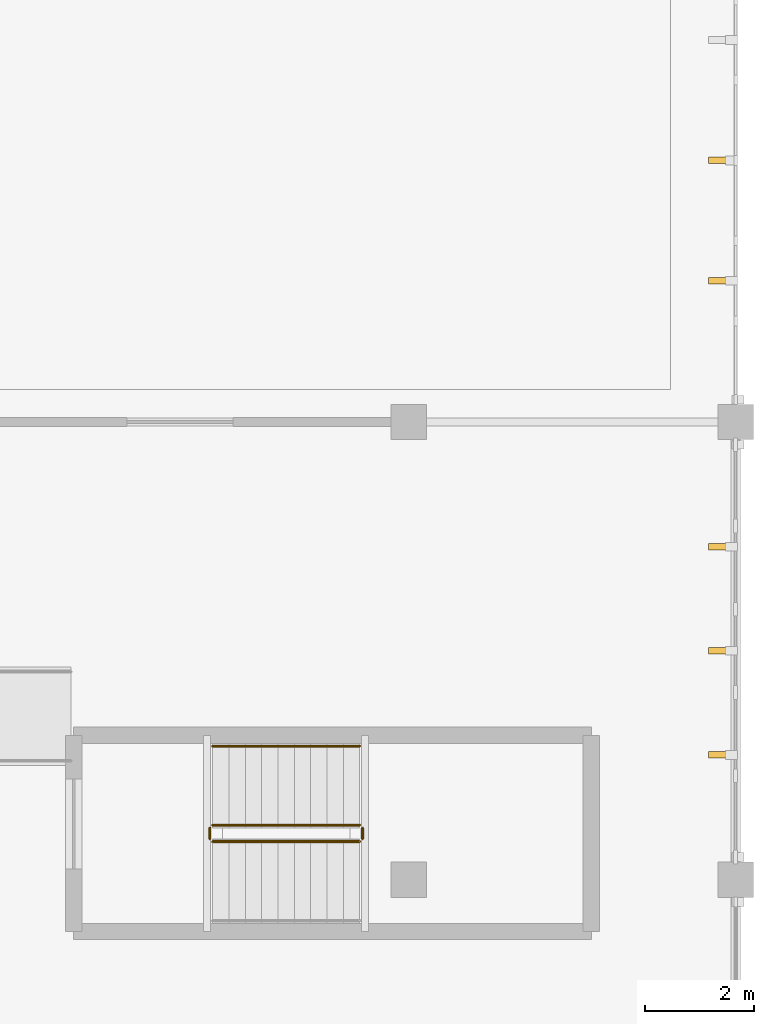
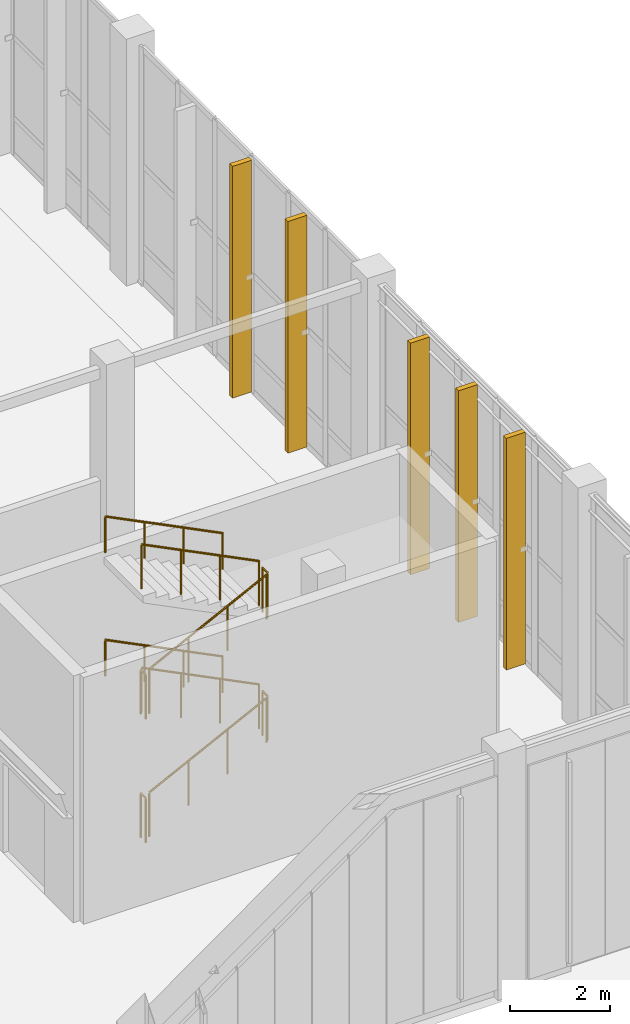
# One storey, part 108 of 110: 10 railings, 5 coverings.
"""IFC4 building model written with IfcOpenShell, lengths in metres."""

import ifcopenshell
import ifcopenshell.guid

model = None  # the IFC model being written
_history = None  # IfcOwnerHistory: only IFC2X3 demands one
_inside = {}  # id of a spatial element -> (the spatial element, [elements in it])
_under = {}  # id of a project, library or spatial element -> (it, [spatial elements below it])
_declared = {}  # id of a project -> (the project, [libraries it declares])
_typed = {}  # id of a type object -> (the type object, [elements of that type])
_made_of = {}  # id of a material, layer set ... -> (it, [elements and type objects made of it])


def new_model(schema):
    """Start an empty IFC model of exactly this schema.

    Asked for "IFC4X3", IfcOpenShell would pick the latest addendum, in which some entities
    have other attributes; the version numbers below select the first issue.
    IFC2X3 requires an IfcOwnerHistory on every rooted entity: one is made here for all.
    """
    global model, _history
    if schema == "IFC4X3":
        model = ifcopenshell.file(schema_version=(4, 3, 0, 0))
    else:
        model = ifcopenshell.file(schema=schema)
    _inside.clear()
    _under.clear()
    _declared.clear()
    _typed.clear()
    _made_of.clear()
    _history = None
    if model.schema == "IFC2X3":
        org = make("IfcOrganization", Name="unknown")
        user = make(
            "IfcPersonAndOrganization",
            ThePerson=make("IfcPerson", FamilyName="unknown"),
            TheOrganization=org,
        )
        app = make(
            "IfcApplication",
            ApplicationDeveloper=org,
            Version="unknown",
            ApplicationFullName="unknown",
            ApplicationIdentifier="unknown",
        )
        _history = make(
            "IfcOwnerHistory",
            OwningUser=user,
            OwningApplication=app,
            ChangeAction="ADDED",
            CreationDate=0,
        )
    return model


def make(cls, **values):
    """One entity of the class cls with the attributes given. An attribute that is None is left unset."""
    return model.create_entity(
        cls, **{name: value for name, value in values.items() if value is not None}
    )


def rooted(cls, **values):
    """An entity with a GlobalId (a new one), such as an element, a storey or a relation."""
    return make(cls, GlobalId=ifcopenshell.guid.new(), OwnerHistory=_history, **values)


def si_unit(unit_type, name, prefix=None):
    """IfcSIUnit, for example si_unit("LENGTHUNIT", "METRE", prefix="MILLI")."""
    return make("IfcSIUnit", UnitType=unit_type, Prefix=prefix, Name=name)


def assignment(units):
    """IfcUnitAssignment: the units of a project."""
    return None if units is None else make("IfcUnitAssignment", Units=units)


def point(xyz):
    """IfcCartesianPoint."""
    return None if xyz is None else make("IfcCartesianPoint", Coordinates=xyz)


def direction(xyz):
    """IfcDirection."""
    return None if xyz is None else make("IfcDirection", DirectionRatios=xyz)


def frame(location, z_axis=None, x_axis=None):
    """IfcAxis2Placement3D, a coordinate frame: its origin and axes. An axis left out is left unset."""
    return make(
        "IfcAxis2Placement3D",
        Location=point(location),
        Axis=direction(z_axis),
        RefDirection=direction(x_axis),
    )


def frame_2d(location, x_axis=None):
    """IfcAxis2Placement2D, a coordinate frame in the plane: its origin and x axis."""
    return make(
        "IfcAxis2Placement2D", Location=point(location), RefDirection=direction(x_axis)
    )


def origin():
    """The frame at (0, 0, 0) with its axes left unset."""
    return frame((0.0, 0.0, 0.0))


def origin_2d():
    """The frame at (0, 0) in the plane with its x axis left unset."""
    return frame_2d((0.0, 0.0))


def place(relative_to, where):
    """IfcLocalPlacement: puts the frame where relative to a parent placement (None: the world)."""
    return make(
        "IfcLocalPlacement", PlacementRelTo=relative_to, RelativePlacement=where
    )


def context(
    kind, dimensions, precision=None, world=None, true_north=None, identifier=None
):
    """IfcGeometricRepresentationContext, for example the 3D "Model" context."""
    return make(
        "IfcGeometricRepresentationContext",
        ContextIdentifier=identifier,
        ContextType=kind,
        CoordinateSpaceDimension=dimensions,
        Precision=precision,
        WorldCoordinateSystem=world,
        TrueNorth=true_north,
    )


def subcontext(parent, identifier, kind, view, scale=None):
    """IfcGeometricRepresentationSubContext, for example "Body" below "Model"."""
    return make(
        "IfcGeometricRepresentationSubContext",
        ContextIdentifier=identifier,
        ContextType=kind,
        ParentContext=parent,
        TargetScale=scale,
        TargetView=view,
    )


def project(units=None, contexts=None):
    """IfcProject with its units and contexts."""
    return rooted(
        "IfcProject",
        Name="project",
        RepresentationContexts=contexts,
        UnitsInContext=assignment(units),
    )


def spatial(cls, under=None, at=None, **own):
    """A site, building, storey or space (cls), placed at a placement, below another one or the project."""
    s = rooted(cls, ObjectPlacement=at, **own)
    if under is not None:
        _under.setdefault(under.id(), (under, []))[1].append(s)
    return s


def profile(cls, at=None, kind="AREA", **sizes):
    """A parametric profile (cls). Its sizes go by their IFC names, for example OverallWidth=200.0."""
    return make(cls, ProfileType=kind, Position=at, **sizes)


def rectangle(**sizes):
    """IfcRectangleProfileDef."""
    return profile("IfcRectangleProfileDef", **sizes)


def circle(**sizes):
    """IfcCircleProfileDef."""
    return profile("IfcCircleProfileDef", **sizes)


def extrude(swept, where, along, depth):
    """IfcExtrudedAreaSolid: the profile swept, set in the frame where, extruded along a direction by depth."""
    return make(
        "IfcExtrudedAreaSolid",
        SweptArea=swept,
        Position=where,
        ExtrudedDirection=direction(along),
        Depth=depth,
    )


def shape(context_of_items, identifier, shape_type, items):
    """IfcShapeRepresentation: the items that make up one representation, for example the "Body"."""
    return make(
        "IfcShapeRepresentation",
        ContextOfItems=context_of_items,
        RepresentationIdentifier=identifier,
        RepresentationType=shape_type,
        Items=items,
    )


def material(Name=None, Category=None):
    """IfcMaterial."""
    return make("IfcMaterial", Name=Name, Category=Category)


def layer(
    of_material, thickness, ventilated=None, Name=None, Category=None, Priority=None
):
    """IfcMaterialLayer: one layer of a wall or slab, of a material (None: an air gap)."""
    return make(
        "IfcMaterialLayer",
        Material=of_material,
        LayerThickness=thickness,
        IsVentilated=ventilated,
        Name=Name,
        Category=Category,
        Priority=Priority,
    )


def layer_set(layers, Name=None):
    """IfcMaterialLayerSet."""
    return make("IfcMaterialLayerSet", MaterialLayers=layers, LayerSetName=Name)


def made_of(thing, what):
    """Note that an element or type object is made of a material, layer set ...; save() writes the relation."""
    if what is not None:
        _made_of.setdefault(what.id(), (what, []))[1].append(thing)
    return thing


def type_object(cls, material=None, **own):
    """A type object (cls), such as IfcWallType, which elements share."""
    return made_of(rooted(cls, **own), material)


def element(
    cls,
    number,
    at=None,
    inside=None,
    cuts=None,
    type_object=None,
    material=None,
    context=None,
    identifier="Body",
    shape_type=None,
    held_by="IfcProductDefinitionShape",
    body=None,
    shapes=None,
    **own,
):
    """One element of the class cls, such as IfcWall. Its Tag is "e" and its number.

    at: its placement. inside: the storey or other place that contains it. cuts: it is an
    opening in that element (IfcRelVoidsElement). A single representation is given by context,
    identifier, shape_type and body (its items); several are given by shapes. held_by: the class
    of the entity that holds the representations. save() writes the other relations.
    """
    e = rooted(cls, Tag="e%d" % number, ObjectPlacement=at, **own)
    if body is not None:
        shapes = [shape(context, identifier, shape_type, body)]
    if shapes is not None:
        e.Representation = make(held_by, Representations=shapes)
    if inside is not None:
        _inside.setdefault(inside.id(), (inside, []))[1].append(e)
    if cuts is not None:
        rooted(
            "IfcRelVoidsElement", RelatingBuildingElement=cuts, RelatedOpeningElement=e
        )
    if type_object is not None:
        _typed.setdefault(type_object.id(), (type_object, []))[1].append(e)
    return made_of(e, material)


def aggregate(whole, parts):
    """IfcRelAggregates: a whole, such as a stair, and the parts it consists of."""
    return rooted("IfcRelAggregates", RelatingObject=whole, RelatedObjects=parts)


def save(model, path):
    """Write the relations noted so far, then the file.

    IfcRelAggregates (storeys below a building ...), IfcRelContainedInSpatialStructure (elements
    in a storey), IfcRelDefinesByType, IfcRelAssociatesMaterial and IfcRelDeclares: one each for
    every whole, place, type object, material and project.
    """
    for whole, parts in _under.values():
        aggregate(whole, parts)
    for where, things in _inside.values():
        rooted(
            "IfcRelContainedInSpatialStructure",
            RelatedElements=things,
            RelatingStructure=where,
        )
    for kind, things in _typed.values():
        rooted("IfcRelDefinesByType", RelatedObjects=things, RelatingType=kind)
    for what, things in _made_of.values():
        rooted("IfcRelAssociatesMaterial", RelatedObjects=things, RelatingMaterial=what)
    for by, libraries in _declared.values():
        rooted("IfcRelDeclares", RelatingContext=by, RelatedDefinitions=libraries)
    model.write(path)


model = new_model("IFC4")

# Units and contexts
model_context = context("Model", 3, precision=1e-05, world=origin(), true_north=direction((0.0, 1.0)))
body_context = subcontext(model_context, "Body", "Model", "MODEL_VIEW")
ifc_project = project(units=[si_unit("LENGTHUNIT", "METRE"), si_unit("AREAUNIT", "SQUARE_METRE"), si_unit("VOLUMEUNIT", "CUBIC_METRE"), si_unit("PLANEANGLEUNIT", "RADIAN"), si_unit("MASSUNIT", "GRAM", prefix="KILO")], contexts=[model_context])

# Site, building, storey
site_placement = place(None, origin())
site = spatial("IfcSite", under=ifc_project, at=site_placement, CompositionType="ELEMENT")
building_placement = place(site_placement, origin())
building = spatial("IfcBuilding", under=site, at=building_placement, Name="Tizgana Railside Sports Hall", CompositionType="ELEMENT")
storey_placement = place(building_placement, origin())
storey = spatial("IfcBuildingStorey", under=building, at=storey_placement, Name="L00", CompositionType="ELEMENT", Elevation=0.0)

# Coverings
ifc_material_1 = material(Name="Glulam GL28h", Category="wood")
ifc_layer = layer(ifc_material_1, 0.139892578125, Name="Glulam GL28h")
ifc_layer_set = layer_set([ifc_layer], Name="Glulam GL28h")
covering_type = type_object("IfcCoveringType", Name="Mass-Timber Brise-Soleil & Pergola Fin", PredefinedType="CLADDING", material=ifc_layer_set)
for number, where, z_axis, x_axis, name in (
    (1, (171.919921875, 82.68994140625, 0.0849609375), (0.0, 0.0, 1.0), (0.0, 1.0, 0.0), "L00 Timber Brise-Soleil Fin"),
    (2, (171.919921875, 84.60009765625, 0.0849609375), (0.0, 0.0, 1.0), (0.0, 1.0, 0.0), "L00 Timber Brise-Soleil Fin"),
    (3, (171.919921875, 86.510009765625, 0.0849609375), (0.0, 0.0, 1.0), (0.0, 1.0, 0.0), "L00 Timber Brise-Soleil Fin"),
    (4, (171.919921875, 91.389892578125, 0.0849609375), (0.0, 0.0, 1.0), (0.0, 1.0, 0.0), "L00 Timber Brise-Soleil Fin"),
    (5, (171.919921875, 93.60009765625, 0.0849609375), (0.0, 0.0, 1.0), (0.0, 1.0, 0.0), "L00 Timber Brise-Soleil Fin"),
):
    element("IfcCovering", number, at=place(storey_placement, frame(where, z_axis=z_axis, x_axis=x_axis)), inside=storey, type_object=covering_type, Name=name, PredefinedType="CLADDING", context=body_context, shape_type="SweptSolid", body=[
        extrude(rectangle(XDim=0.1201171875, YDim=0.43994140625, at=origin_2d()), origin(), (0.0, 0.0, 1.0), 5.635009765625),
    ])

# Railings
ifc_material_2 = material(Name="Galvanised steel sheet", Category="steel")
railing_type_1 = type_object("IfcRailingType", Name="Safety Balustrade Guard 1100", PredefinedType="BALUSTRADE", material=ifc_material_2)
railing_1_placement = place(storey_placement, frame((162.60009765625, 81.10009765625, 0.14990234375)))
element("IfcRailing", 6, at=railing_1_placement, inside=storey, type_object=railing_type_1, Name="L00 ST-09 stair guard 1", PredefinedType="BALUSTRADE", context=body_context, shape_type="SweptSolid", body=[
    extrude(circle(Radius=0.02392578125, at=origin_2d()), frame((0.0, 0.0, 1.076171875), z_axis=(0.894411015155, 0.0, 0.447245945728), x_axis=(0.0, 1.0, 0.0)), (0.0, 0.0, 1.0), 3.018798828125),
    extrude(circle(Radius=0.02099609375, at=origin_2d()), origin(), (0.0, 0.0, 1.0), 1.052001953125),
    extrude(circle(Radius=0.02099609375, at=origin_2d()), frame((0.89990234375, 0.0, 0.449951171875)), (0.0, 0.0, 1.0), 1.052001953125),
    extrude(circle(Radius=0.02099609375, at=origin_2d()), frame((1.800048828125, 0.0, 0.900146484375)), (0.0, 0.0, 1.0), 1.052001953125),
    extrude(circle(Radius=0.02099609375, at=origin_2d()), frame((2.699951171875, 0.0, 1.35009765625)), (0.0, 0.0, 1.0), 1.052001953125),
])
railing_2_placement = place(storey_placement, frame((165.35009765625, 81.14990234375, 1.5)))
element("IfcRailing", 7, at=railing_2_placement, inside=storey, type_object=railing_type_1, Name="L00 ST-09 stair guard 2", PredefinedType="BALUSTRADE", context=body_context, shape_type="SweptSolid", body=[
    extrude(circle(Radius=0.02392578125, at=origin_2d()), frame((0.0, 0.0, 1.076171875), z_axis=(0.0, 1.0, 0.0), x_axis=(-1.0, 0.0, 0.0)), (0.0, 0.0, 1.0), 0.2001953125),
    extrude(circle(Radius=0.02099609375, at=origin_2d()), origin(), (0.0, 0.0, 1.0), 1.052001953125),
    extrude(circle(Radius=0.02099609375, at=origin_2d()), frame((0.0, 0.2001953125, 0.0)), (0.0, 0.0, 1.0), 1.052001953125),
])
railing_3_placement = place(storey_placement, frame((165.300048828125, 81.39990234375, 1.64990234375)))
element("IfcRailing", 8, at=railing_3_placement, inside=storey, type_object=railing_type_1, Name="L00 ST-09 stair guard 3", PredefinedType="BALUSTRADE", context=body_context, shape_type="SweptSolid", body=[
    extrude(circle(Radius=0.02392578125, at=origin_2d()), frame((0.0, 0.0, 1.076171875), z_axis=(-0.894411015155, 0.0, 0.447245945728), x_axis=(0.0, -1.0, 0.0)), (0.0, 0.0, 1.0), 3.018798828125),
    extrude(circle(Radius=0.02099609375, at=origin_2d()), origin(), (0.0, 0.0, 1.0), 1.052001953125),
    extrude(circle(Radius=0.02099609375, at=origin_2d()), frame((-0.89990234375, 0.0, 0.449951171875)), (0.0, 0.0, 1.0), 1.052001953125),
    extrude(circle(Radius=0.02099609375, at=origin_2d()), frame((-1.800048828125, 0.0, 0.900146484375)), (0.0, 0.0, 1.0), 1.052001953125),
    extrude(circle(Radius=0.02099609375, at=origin_2d()), frame((-2.699951171875, 0.0, 1.35009765625)), (0.0, 0.0, 1.0), 1.052001953125),
])
railing_4_placement = place(storey_placement, frame((162.550048828125, 81.14990234375, 3.0)))
element("IfcRailing", 9, at=railing_4_placement, inside=storey, type_object=railing_type_1, Name="L00 ST-09 stair guard 4", PredefinedType="BALUSTRADE", context=body_context, shape_type="SweptSolid", body=[
    extrude(circle(Radius=0.02392578125, at=origin_2d()), frame((0.0, 0.0, 1.076171875), z_axis=(0.0, 1.0, 0.0), x_axis=(-1.0, 0.0, 0.0)), (0.0, 0.0, 1.0), 0.2001953125),
    extrude(circle(Radius=0.02099609375, at=origin_2d()), origin(), (0.0, 0.0, 1.0), 1.052001953125),
    extrude(circle(Radius=0.02099609375, at=origin_2d()), frame((0.0, 0.2001953125, 0.0)), (0.0, 0.0, 1.0), 1.052001953125),
])
railing_5_placement = place(storey_placement, frame((162.60009765625, 81.10009765625, 3.14990234375)))
element("IfcRailing", 10, at=railing_5_placement, inside=storey, type_object=railing_type_1, Name="L00 ST-09 stair guard 5", PredefinedType="BALUSTRADE", context=body_context, shape_type="SweptSolid", body=[
    extrude(circle(Radius=0.02392578125, at=origin_2d()), frame((0.0, 0.0, 1.076171875), z_axis=(0.894411015155, 0.0, 0.447245945728), x_axis=(0.0, 1.0, 0.0)), (0.0, 0.0, 1.0), 3.018798828125),
    extrude(circle(Radius=0.02099609375, at=origin_2d()), origin(), (0.0, 0.0, 1.0), 1.052001953125),
    extrude(circle(Radius=0.02099609375, at=origin_2d()), frame((0.89990234375, 0.0, 0.449951171875)), (0.0, 0.0, 1.0), 1.052001953125),
    extrude(circle(Radius=0.02099609375, at=origin_2d()), frame((1.800048828125, 0.0, 0.900146484375)), (0.0, 0.0, 1.0), 1.052001953125),
    extrude(circle(Radius=0.02099609375, at=origin_2d()), frame((2.699951171875, 0.0, 1.35009765625)), (0.0, 0.0, 1.0), 1.052001953125),
])
railing_6_placement = place(storey_placement, frame((165.35009765625, 81.14990234375, 4.5)))
element("IfcRailing", 11, at=railing_6_placement, inside=storey, type_object=railing_type_1, Name="L00 ST-09 stair guard 6", PredefinedType="BALUSTRADE", context=body_context, shape_type="SweptSolid", body=[
    extrude(circle(Radius=0.02392578125, at=origin_2d()), frame((0.0, 0.0, 1.076171875), z_axis=(0.0, 1.0, 0.0), x_axis=(-1.0, 0.0, 0.0)), (0.0, 0.0, 1.0), 0.2001953125),
    extrude(circle(Radius=0.02099609375, at=origin_2d()), origin(), (0.0, 0.0, 1.0), 1.052001953125),
    extrude(circle(Radius=0.02099609375, at=origin_2d()), frame((0.0, 0.2001953125, 0.0)), (0.0, 0.0, 1.0), 1.052001953125),
])
railing_7_placement = place(storey_placement, frame((165.300048828125, 81.39990234375, 4.64990234375)))
element("IfcRailing", 12, at=railing_7_placement, inside=storey, type_object=railing_type_1, Name="L00 ST-09 stair guard 7", PredefinedType="BALUSTRADE", context=body_context, shape_type="SweptSolid", body=[
    extrude(circle(Radius=0.02392578125, at=origin_2d()), frame((0.0, 0.0, 1.076171875), z_axis=(-0.894411015155, 0.0, 0.447245945728), x_axis=(0.0, -1.0, 0.0)), (0.0, 0.0, 1.0), 3.018798828125),
    extrude(circle(Radius=0.02099609375, at=origin_2d()), origin(), (0.0, 0.0, 1.0), 1.052001953125),
    extrude(circle(Radius=0.02099609375, at=origin_2d()), frame((-0.89990234375, 0.0, 0.449951171875)), (0.0, 0.0, 1.0), 1.052001953125),
    extrude(circle(Radius=0.02099609375, at=origin_2d()), frame((-1.800048828125, 0.0, 0.900146484375)), (0.0, 0.0, 1.0), 1.052001953125),
    extrude(circle(Radius=0.02099609375, at=origin_2d()), frame((-2.699951171875, 0.0, 1.35009765625)), (0.0, 0.0, 1.0), 1.052001953125),
])
railing_8_placement = place(storey_placement, frame((162.550048828125, 81.14990234375, 0.0)))
element("IfcRailing", 13, at=railing_8_placement, inside=storey, type_object=railing_type_1, Name="L00 ST-09 stair guard 8", PredefinedType="BALUSTRADE", context=body_context, shape_type="SweptSolid", body=[
    extrude(circle(Radius=0.02392578125, at=origin_2d()), frame((0.0, 0.0, 1.076171875), z_axis=(0.0, 1.0, 0.0), x_axis=(-1.0, 0.0, 0.0)), (0.0, 0.0, 1.0), 0.2001953125),
    extrude(circle(Radius=0.02099609375, at=origin_2d()), origin(), (0.0, 0.0, 1.0), 1.052001953125),
    extrude(circle(Radius=0.02099609375, at=origin_2d()), frame((0.0, 0.2001953125, 0.0)), (0.0, 0.0, 1.0), 1.052001953125),
])
ifc_material_3 = material(Name="Brushed stainless steel", Category="steel")
railing_type_2 = type_object("IfcRailingType", Name="Stair & Ramp Wall Handrail 900", PredefinedType="HANDRAIL", material=ifc_material_3)
for number, where, name in (
    (14, (165.300048828125, 82.85009765625, 1.64990234375), "L00 ST-09 stair handrail 2"),
    (15, (165.300048828125, 82.85009765625, 4.64990234375), "L00 ST-09 stair handrail 4"),
):
    element("IfcRailing", number, at=place(storey_placement, frame(where)), inside=storey, type_object=railing_type_2, Name=name, PredefinedType="HANDRAIL", context=body_context, shape_type="SweptSolid", body=[
        extrude(circle(Radius=0.02392578125, at=origin_2d()), frame((0.0, 0.0, 0.8759765625), z_axis=(-0.894411015155, 0.0, 0.447245945728), x_axis=(0.0, -1.0, 0.0)), (0.0, 0.0, 1.0), 3.018798828125),
        extrude(circle(Radius=0.02099609375, at=origin_2d()), origin(), (0.0, 0.0, 1.0), 0.851806640625),
        extrude(circle(Radius=0.02099609375, at=origin_2d()), frame((-0.89990234375, 0.0, 0.449951171875)), (0.0, 0.0, 1.0), 0.851806640625),
        extrude(circle(Radius=0.02099609375, at=origin_2d()), frame((-1.800048828125, 0.0, 0.900146484375)), (0.0, 0.0, 1.0), 0.851806640625),
        extrude(circle(Radius=0.02099609375, at=origin_2d()), frame((-2.699951171875, 0.0, 1.35009765625)), (0.0, 0.0, 1.0), 0.851806640625),
    ])

save(model, "model.ifc")
